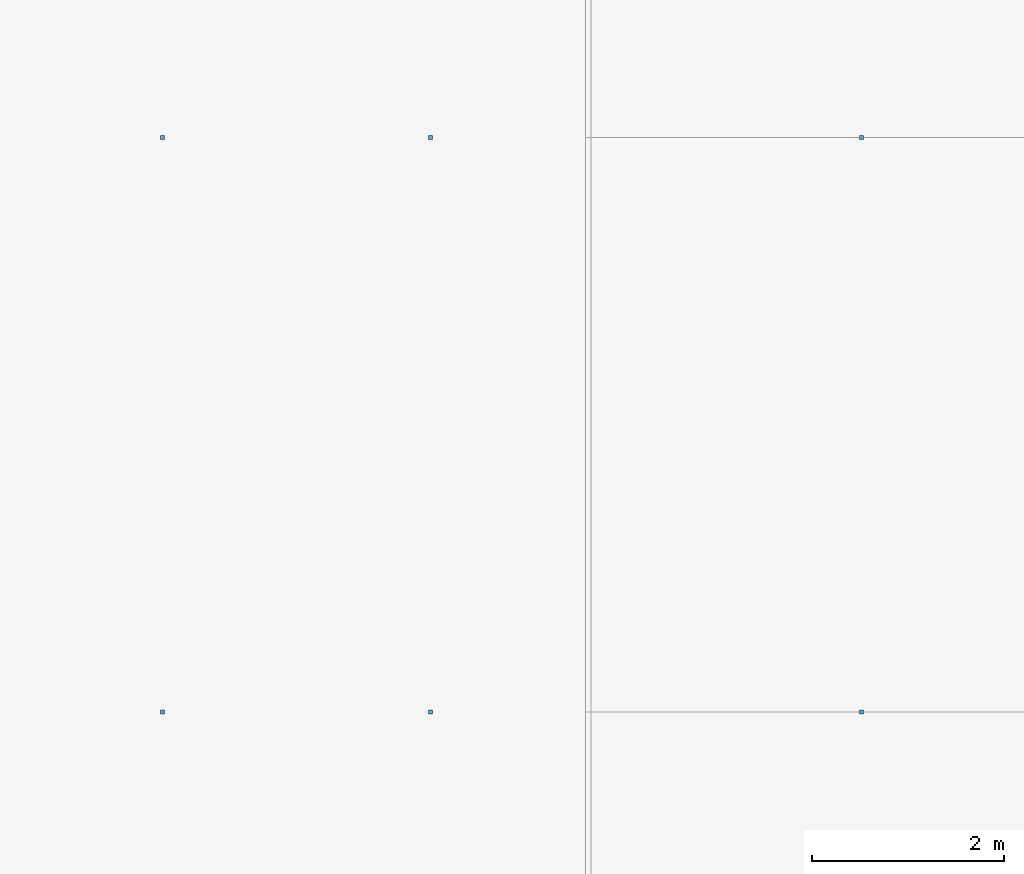
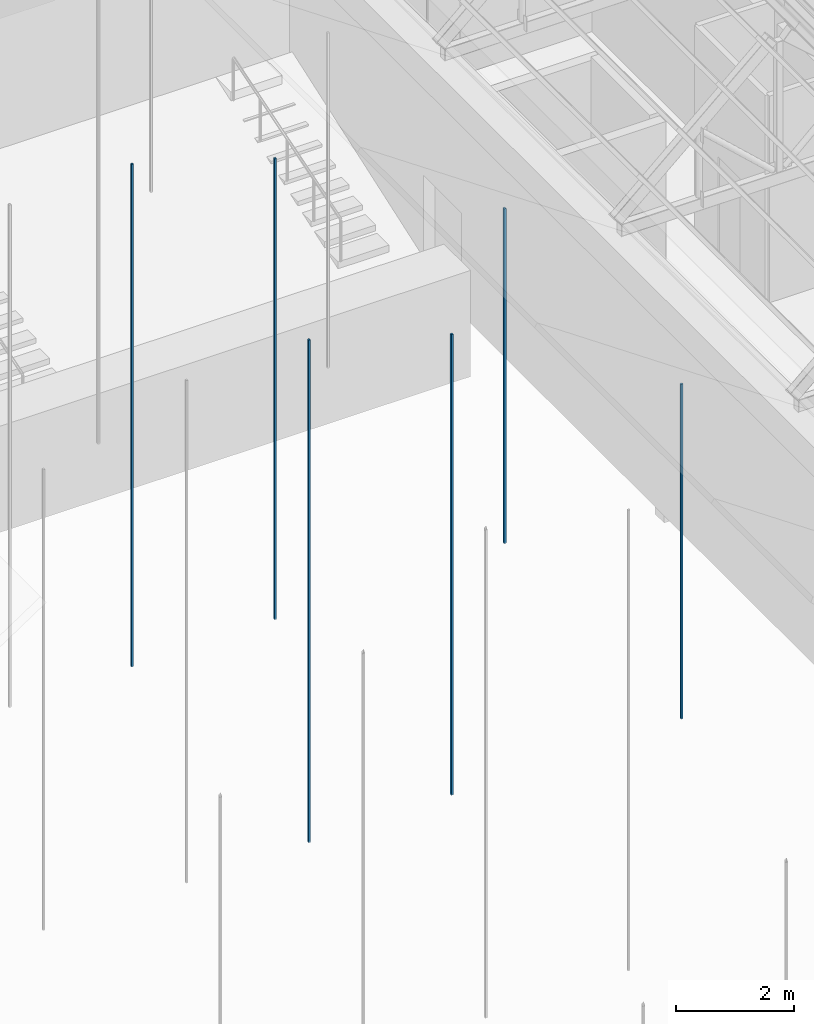
# One storey, part 75 of 118: 6 discrete accessories.
"""IFC4 building model written with IfcOpenShell, lengths in metres."""

from ifc_helpers import new_model, si_unit, direction, frame, origin, origin_2d, place, context, subcontext, project, spatial, rectangle, extrude, element, save


model = new_model("IFC4")

# Units and contexts
model_context = context("Model", 3, precision=1e-05, world=origin(), true_north=direction((0.0, 1.0)))
body_context = subcontext(model_context, "Body", "Model", "MODEL_VIEW")
ifc_project = project(units=[si_unit("LENGTHUNIT", "METRE"), si_unit("AREAUNIT", "SQUARE_METRE"), si_unit("VOLUMEUNIT", "CUBIC_METRE"), si_unit("PLANEANGLEUNIT", "RADIAN"), si_unit("MASSUNIT", "GRAM", prefix="KILO")], contexts=[model_context])

# Site, building, storey
site_placement = place(None, origin())
site = spatial("IfcSite", under=ifc_project, at=site_placement, CompositionType="ELEMENT")
building_placement = place(site_placement, origin())
building = spatial("IfcBuilding", under=site, at=building_placement, Name="Saffron Lane Theatres", CompositionType="ELEMENT")
storey_placement = place(building_placement, frame((0.0, 0.0, 16.5)))
storey = spatial("IfcBuildingStorey", under=building, at=storey_placement, Name="L03", CompositionType="ELEMENT", Elevation=16.5)

# Discrete accessories
discrete_accessory_1_placement = place(storey_placement, frame((34.199951171875, 66.0, 4.56005859375), z_axis=(0.0, 0.0, 1.0), x_axis=(1.0, 0.0, 0.0)))
element("IfcDiscreteAccessory", 1, at=discrete_accessory_1_placement, inside=storey, Name="Ceiling hanger", PredefinedType="BRACKET", context=body_context, shape_type="SweptSolid", body=[
    extrude(rectangle(XDim=0.0400390625, YDim=0.0400390625, at=origin_2d()), origin(), (0.0, 0.0, 1.0), 10.412841796875),
])
discrete_accessory_2_placement = place(storey_placement, frame((37.0, 66.0, 4.56005859375), z_axis=(0.0, 0.0, 1.0), x_axis=(1.0, 0.0, 0.0)))
element("IfcDiscreteAccessory", 2, at=discrete_accessory_2_placement, inside=storey, Name="Ceiling hanger", PredefinedType="BRACKET", context=body_context, shape_type="SweptSolid", body=[
    extrude(rectangle(XDim=0.0400390625, YDim=0.0400390625, at=origin_2d()), origin(), (0.0, 0.0, 1.0), 9.54833984375),
])
discrete_accessory_3_placement = place(storey_placement, frame((41.5, 66.0, 4.56005859375), z_axis=(0.0, 0.0, 1.0), x_axis=(1.0, 0.0, 0.0)))
element("IfcDiscreteAccessory", 3, at=discrete_accessory_3_placement, inside=storey, Name="Ceiling hanger", PredefinedType="BRACKET", context=body_context, shape_type="SweptSolid", body=[
    extrude(rectangle(XDim=0.0400390625, YDim=0.0400390625, at=origin_2d()), origin(), (0.0, 0.0, 1.0), 6.9375),
])
discrete_accessory_4_placement = place(storey_placement, frame((34.199951171875, 72.0, 4.56005859375), z_axis=(0.0, 0.0, 1.0), x_axis=(1.0, 0.0, 0.0)))
element("IfcDiscreteAccessory", 4, at=discrete_accessory_4_placement, inside=storey, Name="Ceiling hanger", PredefinedType="BRACKET", context=body_context, shape_type="SweptSolid", body=[
    extrude(rectangle(XDim=0.0400390625, YDim=0.0400390625, at=origin_2d()), origin(), (0.0, 0.0, 1.0), 10.412841796875),
])
discrete_accessory_5_placement = place(storey_placement, frame((37.0, 72.0, 4.56005859375), z_axis=(0.0, 0.0, 1.0), x_axis=(1.0, 0.0, 0.0)))
element("IfcDiscreteAccessory", 5, at=discrete_accessory_5_placement, inside=storey, Name="Ceiling hanger", PredefinedType="BRACKET", context=body_context, shape_type="SweptSolid", body=[
    extrude(rectangle(XDim=0.0400390625, YDim=0.0400390625, at=origin_2d()), origin(), (0.0, 0.0, 1.0), 9.54833984375),
])
discrete_accessory_6_placement = place(storey_placement, frame((41.5, 72.0, 4.56005859375), z_axis=(0.0, 0.0, 1.0), x_axis=(1.0, 0.0, 0.0)))
element("IfcDiscreteAccessory", 6, at=discrete_accessory_6_placement, inside=storey, Name="Ceiling hanger", PredefinedType="BRACKET", context=body_context, shape_type="SweptSolid", body=[
    extrude(rectangle(XDim=0.0400390625, YDim=0.0400390625, at=origin_2d()), origin(), (0.0, 0.0, 1.0), 6.9375),
])

save(model, "model.ifc")
